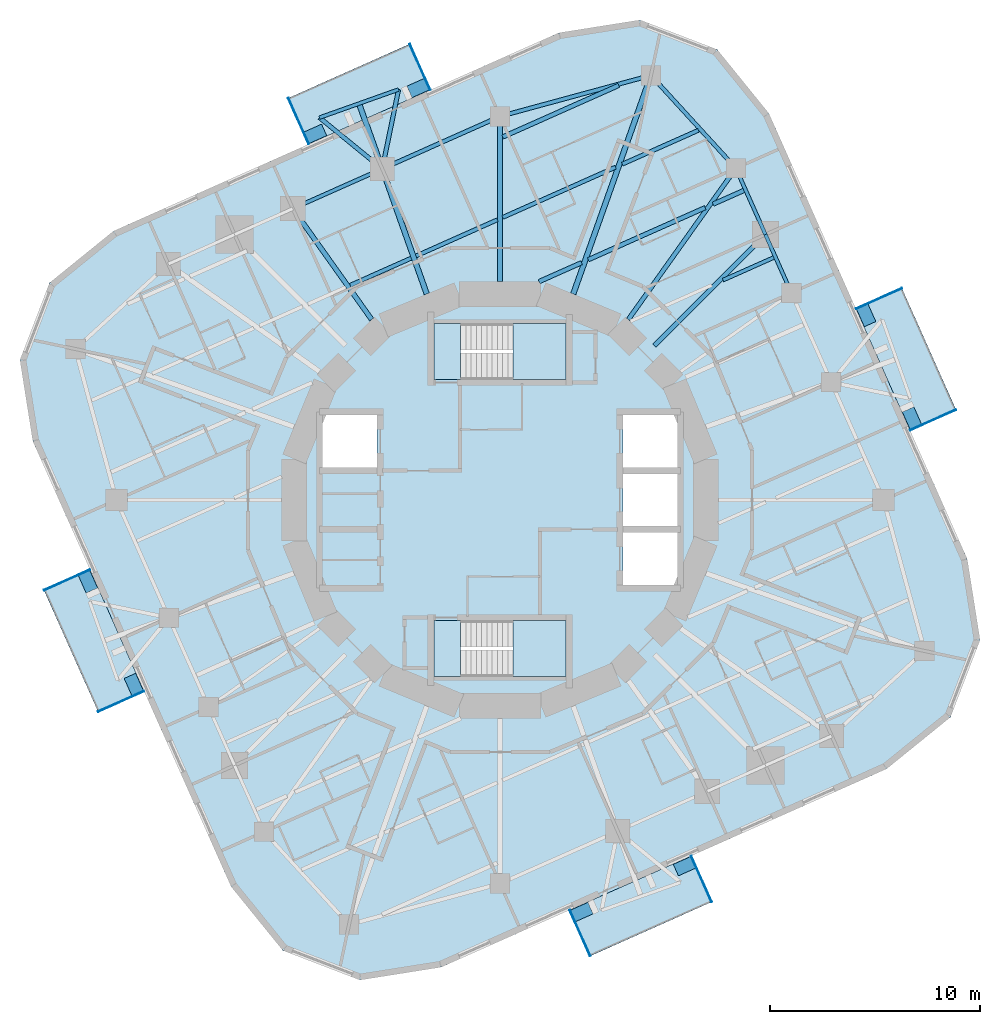
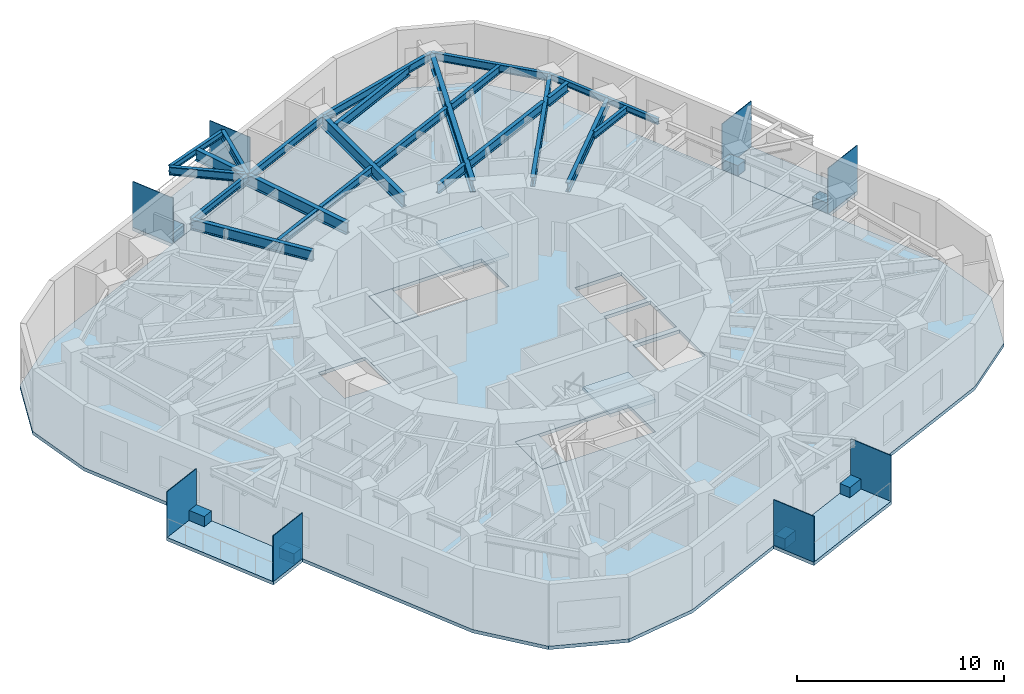
# One storey, part 3 of 12: 24 beams, 16 plates, 9 slabs, 2 elements without a shape of their own.
"""IFC4 building model written with IfcOpenShell, lengths in metres."""

from ifc_helpers import new_model, si_unit, direction, frame, origin, origin_2d, place, context, subcontext, project, spatial, polyline, rectangle, i_section, outline, extrude, material, layer, layer_set, material_profile, profile_set, type_object, element, aggregate, save


model = new_model("IFC4")

# Units and contexts
model_context = context("Model", 3, precision=1e-05, world=origin(), true_north=direction((0.0, 1.0)))
body_context = subcontext(model_context, "Body", "Model", "MODEL_VIEW")
ifc_project = project(units=[si_unit("LENGTHUNIT", "METRE"), si_unit("AREAUNIT", "SQUARE_METRE"), si_unit("VOLUMEUNIT", "CUBIC_METRE"), si_unit("PLANEANGLEUNIT", "RADIAN"), si_unit("MASSUNIT", "GRAM", prefix="KILO")], contexts=[model_context])

# Site, building, storey
site_placement = place(None, origin())
site = spatial("IfcSite", under=ifc_project, at=site_placement, CompositionType="ELEMENT")
building_placement = place(site_placement, origin())
building = spatial("IfcBuilding", under=site, at=building_placement, Name="Nakasero Lantern House", CompositionType="ELEMENT")
storey_placement = place(building_placement, frame((0.0, 0.0, 186.300048828125)))
storey = spatial("IfcBuildingStorey", under=building, at=storey_placement, Name="L45", CompositionType="ELEMENT", Elevation=186.300048828125)

# Beams
ifc_material_1 = material(Name="Steel S355", Category="steel")
ifc_material_profile_1 = material_profile(ifc_material_1, i_section(OverallWidth=0.199462890625, OverallDepth=0.491943359375, WebThickness=0.01806640625, FlangeThickness=0.031982421875, FilletRadius=0.01025390625, at=origin_2d()), Name="UB 457x191x161")
ifc_profile_set_1 = profile_set([ifc_material_profile_1], Name="Steel S355")
beam_type_1 = type_object("IfcBeamType", Name="Balcony splay beam UB 457x191x161", PredefinedType="BEAM", material=ifc_profile_set_1)
beam_1_placement = place(storey_placement, frame((-5.611328125, 15.781982421875, 3.404052734375), z_axis=(-0.774833215206, 0.632165712937, 0.0), x_axis=(-0.632165712937, -0.774833215206, 0.0)))
element("IfcBeam", 1, at=beam_1_placement, inside=storey, type_object=beam_type_1, Name="Balcony splay beam L46 B5-C10A", PredefinedType="BEAM", context=body_context, shape_type="SweptSolid", body=[
    extrude(i_section(OverallWidth=0.199462890625, OverallDepth=0.491943359375, WebThickness=0.01806640625, FlangeThickness=0.031982421875, FilletRadius=0.01025390625, at=origin_2d()), origin(), (0.0, 0.0, 1.0), 3.85888671875),
])
beam_2_placement = place(storey_placement, frame((-5.611328125, 15.781982421875, 3.404052734375), z_axis=(0.201831438605, 0.979420272605, 0.0), x_axis=(-0.979420272605, 0.201831438605, 0.0)))
element("IfcBeam", 2, at=beam_2_placement, inside=storey, type_object=beam_type_1, Name="Balcony splay beam L46 B5-C10B", PredefinedType="BEAM", context=body_context, shape_type="SweptSolid", body=[
    extrude(i_section(OverallWidth=0.199462890625, OverallDepth=0.491943359375, WebThickness=0.01806640625, FlangeThickness=0.031982421875, FilletRadius=0.01025390625, at=origin_2d()), origin(), (0.0, 0.0, 1.0), 3.858642578125),
])
ifc_material_2 = material(Name="Steel S355", Category="steel")
ifc_material_profile_2 = material_profile(ifc_material_2, i_section(OverallWidth=0.17138671875, OverallDepth=0.35498046875, WebThickness=0.00732421875, FlangeThickness=0.011474609375, FilletRadius=0.01025390625, at=origin_2d()), Name="UB 356x171x51")
ifc_profile_set_2 = profile_set([ifc_material_profile_2], Name="Steel S355")
beam_type_2 = type_object("IfcBeamType", Name="Balcony tie beam UB 356x171x51", PredefinedType="BEAM", material=ifc_profile_set_2)
beam_3_placement = place(storey_placement, frame((-8.601318359375, 18.221435546875, 3.472412109375), z_axis=(0.94222839004, 0.334971134582, 0.0), x_axis=(-0.334971134582, 0.94222839004, 0.0)))
element("IfcBeam", 3, at=beam_3_placement, inside=storey, type_object=beam_type_2, Name="Balcony tie beam L46 B5-C10", PredefinedType="BEAM", context=body_context, shape_type="SweptSolid", body=[
    extrude(i_section(OverallWidth=0.17138671875, OverallDepth=0.35498046875, WebThickness=0.00732421875, FlangeThickness=0.011474609375, FilletRadius=0.01025390625, at=origin_2d()), origin(), (0.0, 0.0, 1.0), 4.0),
])
ifc_material_3 = material(Name="Steel S355", Category="steel")
ifc_material_profile_3 = material_profile(ifc_material_3, i_section(OverallWidth=0.177978515625, OverallDepth=0.406494140625, WebThickness=0.0078125, FlangeThickness=0.0126953125, FilletRadius=0.01025390625, at=origin_2d()), Name="UB 406x178x60")
ifc_profile_set_3 = profile_set([ifc_material_profile_3], Name="Steel S355")
beam_type_3 = type_object("IfcBeamType", Name="Infill beam UB 406x178x60", PredefinedType="JOIST", material=ifc_profile_set_3)
beam_4_placement = place(storey_placement, frame((10.626708984375, 10.47802734375, 3.44677734375), z_axis=(0.913529602849, 0.406772251658, 0.0), x_axis=(-0.406772251658, 0.913529602849, 0.0)))
element("IfcBeam", 4, at=beam_4_placement, inside=storey, type_object=beam_type_3, Name="Infill beam L46 09.4", PredefinedType="JOIST", context=body_context, shape_type="SweptSolid", body=[
    extrude(i_section(OverallWidth=0.177978515625, OverallDepth=0.406494140625, WebThickness=0.0078125, FlangeThickness=0.0126953125, FilletRadius=0.01025390625, at=origin_2d()), origin(), (0.0, 0.0, 1.0), 2.64453125),
])
ifc_material_4 = material(Name="Steel S355", Category="steel")
ifc_material_profile_4 = material_profile(ifc_material_4, i_section(OverallWidth=0.18994140625, OverallDepth=0.453369140625, WebThickness=0.008544921875, FlangeThickness=0.0126953125, FilletRadius=0.01025390625, at=origin_2d()), Name="UB 457x191x67")
ifc_profile_set_4 = profile_set([ifc_material_profile_4], Name="Steel S355")
beam_type_4 = type_object("IfcBeamType", Name="Infill beam UB 457x191x67", PredefinedType="JOIST", material=ifc_profile_set_4)
beam_5_placement = place(storey_placement, frame((-7.1357421875, 10.232177734375, 3.42333984375), z_axis=(0.913535738899, 0.406758471029, 0.0), x_axis=(-0.406758471029, 0.913535738899, 0.0)))
element("IfcBeam", 5, at=beam_5_placement, inside=storey, type_object=beam_type_4, Name="Infill beam L46 11.5", PredefinedType="JOIST", context=body_context, shape_type="SweptSolid", body=[
    extrude(i_section(OverallWidth=0.18994140625, OverallDepth=0.453369140625, WebThickness=0.008544921875, FlangeThickness=0.0126953125, FilletRadius=0.01025390625, at=origin_2d()), origin(), (0.0, 0.0, 1.0), 3.17822265625),
])
beam_6_placement = place(storey_placement, frame((-4.0, 11.62841796875, 3.42333984375), z_axis=(0.913547765637, 0.406731459196, 0.0), x_axis=(-0.406731459196, 0.913547765637, 0.0)))
element("IfcBeam", 6, at=beam_6_placement, inside=storey, type_object=beam_type_4, Name="Infill beam L46 11.6", PredefinedType="JOIST", context=body_context, shape_type="SweptSolid", body=[
    extrude(i_section(OverallWidth=0.18994140625, OverallDepth=0.453369140625, WebThickness=0.008544921875, FlangeThickness=0.0126953125, FilletRadius=0.01025390625, at=origin_2d()), origin(), (0.0, 0.0, 1.0), 4.239501953125),
])
beam_7_placement = place(storey_placement, frame((0.126953125, 13.4658203125, 3.42333984375), z_axis=(0.913539401307, 0.406750245556, 0.0), x_axis=(-0.406750245556, 0.913539401307, 0.0)))
element("IfcBeam", 7, at=beam_7_placement, inside=storey, type_object=beam_type_4, Name="Infill beam L46 11.7", PredefinedType="JOIST", context=body_context, shape_type="SweptSolid", body=[
    extrude(i_section(OverallWidth=0.18994140625, OverallDepth=0.453369140625, WebThickness=0.008544921875, FlangeThickness=0.0126953125, FilletRadius=0.01025390625, at=origin_2d()), origin(), (0.0, 0.0, 1.0), 5.886474609375),
])
beam_8_placement = place(storey_placement, frame((5.824462890625, 16.00244140625, 3.42333984375), z_axis=(0.91354552237, 0.406736497695, 0.0), x_axis=(-0.406736497695, 0.91354552237, 0.0)))
element("IfcBeam", 8, at=beam_8_placement, inside=storey, type_object=beam_type_4, Name="Infill beam L46 11.8", PredefinedType="JOIST", context=body_context, shape_type="SweptSolid", body=[
    extrude(i_section(OverallWidth=0.18994140625, OverallDepth=0.453369140625, WebThickness=0.008544921875, FlangeThickness=0.0126953125, FilletRadius=0.01025390625, at=origin_2d()), origin(), (0.0, 0.0, 1.0), 3.9765625),
])
ifc_material_5 = material(Name="Steel S355", Category="steel")
ifc_material_profile_5 = material_profile(ifc_material_5, i_section(OverallWidth=0.2099609375, OverallDepth=0.53662109375, WebThickness=0.0107421875, FlangeThickness=0.017333984375, FilletRadius=0.0126953125, at=origin_2d()), Name="UB 533x210x101")
ifc_profile_set_5 = profile_set([ifc_material_profile_5], Name="Steel S355")
beam_type_5 = type_object("IfcBeamType", Name="Infill beam UB 533x210x101", PredefinedType="JOIST", material=ifc_profile_set_5)
beam_9_placement = place(storey_placement, frame((0.126953125, 17.297119140625, 3.381591796875), z_axis=(0.913548718281, 0.406729319483, 0.0), x_axis=(-0.406729319483, 0.913548718281, 0.0)))
element("IfcBeam", 9, at=beam_9_placement, inside=storey, type_object=beam_type_5, Name="Infill beam L46 12.3", PredefinedType="JOIST", context=body_context, shape_type="SweptSolid", body=[
    extrude(i_section(OverallWidth=0.2099609375, OverallDepth=0.53662109375, WebThickness=0.0107421875, FlangeThickness=0.017333984375, FilletRadius=0.0126953125, at=origin_2d()), origin(), (0.0, 0.0, 1.0), 6.056640625),
])
ifc_material_6 = material(Name="Steel S355", Category="steel")
ifc_material_profile_6 = material_profile(ifc_material_6, i_section(OverallWidth=0.208740234375, OverallDepth=0.5283203125, WebThickness=0.009521484375, FlangeThickness=0.01318359375, FilletRadius=0.0126953125, at=origin_2d()), Name="UB 533x210x82")
ifc_profile_set_6 = profile_set([ifc_material_profile_6], Name="Steel S355")
beam_type_6 = type_object("IfcBeamType", Name="Infill beam UB 533x210x82", PredefinedType="JOIST", material=ifc_profile_set_6)
beam_10_placement = place(storey_placement, frame((1.86376953125, 10.407958984375, 3.3857421875), z_axis=(0.913538457968, 0.406752364238, 0.0), x_axis=(-0.406752364238, 0.913538457968, 0.0)))
element("IfcBeam", 10, at=beam_10_placement, inside=storey, type_object=beam_type_6, Name="Infill beam L46 10.3", PredefinedType="JOIST", context=body_context, shape_type="SweptSolid", body=[
    extrude(i_section(OverallWidth=0.208740234375, OverallDepth=0.5283203125, WebThickness=0.009521484375, FlangeThickness=0.01318359375, FilletRadius=0.0126953125, at=origin_2d()), origin(), (0.0, 0.0, 1.0), 2.213623046875),
])
beam_11_placement = place(storey_placement, frame((4.2060546875, 11.45068359375, 3.3857421875), z_axis=(0.913537341067, 0.406754872713, 0.0), x_axis=(-0.406754872713, 0.913537341067, 0.0)))
element("IfcBeam", 11, at=beam_11_placement, inside=storey, type_object=beam_type_6, Name="Infill beam L46 10.4", PredefinedType="JOIST", context=body_context, shape_type="SweptSolid", body=[
    extrude(i_section(OverallWidth=0.208740234375, OverallDepth=0.5283203125, WebThickness=0.009521484375, FlangeThickness=0.01318359375, FilletRadius=0.0126953125, at=origin_2d()), origin(), (0.0, 0.0, 1.0), 6.099365234375),
])
beam_12_placement = place(storey_placement, frame((10.155029296875, 14.099365234375, 3.3857421875), z_axis=(0.913522313414, 0.406788621884, 0.0), x_axis=(-0.406788621884, 0.913522313414, 0.0)))
element("IfcBeam", 12, at=beam_12_placement, inside=storey, type_object=beam_type_6, Name="Infill beam L46 10.5", PredefinedType="JOIST", context=body_context, shape_type="SweptSolid", body=[
    extrude(i_section(OverallWidth=0.208740234375, OverallDepth=0.5283203125, WebThickness=0.009521484375, FlangeThickness=0.01318359375, FilletRadius=0.0126953125, at=origin_2d()), origin(), (0.0, 0.0, 1.0), 1.6025390625),
])
ifc_material_7 = material(Name="Steel S355", Category="steel")
ifc_material_profile_7 = material_profile(ifc_material_7, i_section(OverallWidth=0.2099609375, OverallDepth=0.53662109375, WebThickness=0.0107421875, FlangeThickness=0.017333984375, FilletRadius=0.0126953125, at=origin_2d()), Name="UB 533x210x101")
ifc_profile_set_7 = profile_set([ifc_material_profile_7], Name="Steel S355")
beam_type_7 = type_object("IfcBeamType", Name="Primary beam UB 533x210x101, span 6 to 9 m", PredefinedType="BEAM", material=ifc_profile_set_7)
beam_13_placement = place(storey_placement, frame((12.64892578125, 12.64892578125, 3.381591796875), z_axis=(-0.707106781187, -0.707106781187, 0.0), x_axis=(0.707106781187, -0.707106781187, 0.0)))
element("IfcBeam", 13, at=beam_13_placement, inside=storey, type_object=beam_type_7, Name="Primary beam L46 B5-C06", PredefinedType="BEAM", context=body_context, shape_type="SweptSolid", body=[
    extrude(i_section(OverallWidth=0.2099609375, OverallDepth=0.53662109375, WebThickness=0.0107421875, FlangeThickness=0.017333984375, FilletRadius=0.0126953125, at=origin_2d()), origin(), (0.0, 0.0, 1.0), 7.48046875),
])
beam_14_placement = place(storey_placement, frame((11.241943359375, 15.808837890625, 3.381591796875), z_axis=(-0.579536824926, -0.814946052543, 0.0), x_axis=(0.814946052543, -0.579536824926, 0.0)))
element("IfcBeam", 14, at=beam_14_placement, inside=storey, type_object=beam_type_7, Name="Primary beam L46 B5-C07", PredefinedType="BEAM", context=body_context, shape_type="SweptSolid", body=[
    extrude(i_section(OverallWidth=0.2099609375, OverallDepth=0.53662109375, WebThickness=0.0107421875, FlangeThickness=0.017333984375, FilletRadius=0.0126953125, at=origin_2d()), origin(), (0.0, 0.0, 1.0), 8.84326171875),
])
ifc_material_8 = material(Name="Steel S355", Category="steel")
ifc_material_profile_8 = material_profile(ifc_material_8, i_section(OverallWidth=0.22900390625, OverallDepth=0.6123046875, WebThickness=0.011962890625, FlangeThickness=0.01953125, FilletRadius=0.0126953125, at=origin_2d()), Name="UB 610x229x125")
ifc_profile_set_8 = profile_set([ifc_material_profile_8], Name="Steel S355")
beam_type_8 = type_object("IfcBeamType", Name="Primary beam UB 610x229x125, span 6 to 9 m", PredefinedType="BEAM", material=ifc_profile_set_8)
beam_15_placement = place(storey_placement, frame((-9.87353515625, 13.884521484375, 3.34375), z_axis=(0.57954101868, -0.8149430702, 0.0), x_axis=(0.8149430702, 0.57954101868, 0.0)))
element("IfcBeam", 15, at=beam_15_placement, inside=storey, type_object=beam_type_8, Name="Primary beam L46 B5-C11", PredefinedType="BEAM", context=body_context, shape_type="SweptSolid", body=[
    extrude(i_section(OverallWidth=0.22900390625, OverallDepth=0.6123046875, WebThickness=0.011962890625, FlangeThickness=0.01953125, FilletRadius=0.0126953125, at=origin_2d()), origin(), (0.0, 0.0, 1.0), 6.48193359375),
])
ifc_material_9 = material(Name="Steel S355", Category="steel")
ifc_material_profile_9 = material_profile(ifc_material_9, i_section(OverallWidth=0.253662109375, OverallDepth=0.68359375, WebThickness=0.012451171875, FlangeThickness=0.01904296875, FilletRadius=0.01513671875, at=origin_2d()), Name="UB 686x254x140")
ifc_profile_set_9 = profile_set([ifc_material_profile_9], Name="Steel S355")
beam_type_9 = type_object("IfcBeamType", Name="Primary beam UB 686x254x140, span 6 to 9 m", PredefinedType="BEAM", material=ifc_profile_set_9)
beam_16_placement = place(storey_placement, frame((0.0, 18.280517578125, 3.30810546875), z_axis=(0.0, -1.0, 0.0), x_axis=(1.0, 0.0, 0.0)))
element("IfcBeam", 16, at=beam_16_placement, inside=storey, type_object=beam_type_9, Name="Primary beam L46 B5-C09", PredefinedType="BEAM", context=body_context, shape_type="SweptSolid", body=[
    extrude(i_section(OverallWidth=0.253662109375, OverallDepth=0.68359375, WebThickness=0.012451171875, FlangeThickness=0.01904296875, FilletRadius=0.01513671875, at=origin_2d()), origin(), (0.0, 0.0, 1.0), 7.87255859375),
])
beam_17_placement = place(storey_placement, frame((-6.717041015625, 18.891357421875, 3.30810546875), z_axis=(0.335030177005, -0.942207397814, 0.0), x_axis=(0.942207397814, 0.335030177005, 0.0)))
element("IfcBeam", 17, at=beam_17_placement, inside=storey, type_object=beam_type_9, Name="Primary beam L46 B5-C10", PredefinedType="BEAM", context=body_context, shape_type="SweptSolid", body=[
    extrude(i_section(OverallWidth=0.253662109375, OverallDepth=0.68359375, WebThickness=0.012451171875, FlangeThickness=0.01904296875, FilletRadius=0.01513671875, at=origin_2d()), origin(), (0.0, 0.0, 1.0), 9.62841796875),
])
ifc_material_10 = material(Name="Steel S355", Category="steel")
ifc_material_profile_10 = material_profile(ifc_material_10, i_section(OverallWidth=0.253662109375, OverallDepth=0.68359375, WebThickness=0.012451171875, FlangeThickness=0.01904296875, FilletRadius=0.01513671875, at=origin_2d()), Name="UB 686x254x140")
ifc_profile_set_10 = profile_set([ifc_material_profile_10], Name="Steel S355")
beam_type_10 = type_object("IfcBeamType", Name="Primary beam UB 686x254x140, span 9 to 12 m", PredefinedType="BEAM", material=ifc_profile_set_10)
beam_18_placement = place(storey_placement, frame((7.19482421875, 20.2353515625, 3.30810546875), z_axis=(-0.335020995468, -0.942210662535, 0.0), x_axis=(0.942210662535, -0.335020995468, 0.0)))
element("IfcBeam", 18, at=beam_18_placement, inside=storey, type_object=beam_type_10, Name="Primary beam L46 B5-C08", PredefinedType="BEAM", context=body_context, shape_type="SweptSolid", body=[
    extrude(i_section(OverallWidth=0.253662109375, OverallDepth=0.68359375, WebThickness=0.012451171875, FlangeThickness=0.01904296875, FilletRadius=0.01513671875, at=origin_2d()), origin(), (0.0, 0.0, 1.0), 11.054931640625),
])
ifc_material_11 = material(Name="Steel S355", Category="steel")
ifc_material_profile_11 = material_profile(ifc_material_11, i_section(OverallWidth=0.17138671875, OverallDepth=0.35498046875, WebThickness=0.00732421875, FlangeThickness=0.011474609375, FilletRadius=0.01025390625, at=origin_2d()), Name="UB 356x171x51")
ifc_profile_set_11 = profile_set([ifc_material_profile_11], Name="Steel S355")
beam_type_11 = type_object("IfcBeamType", Name="Ring beam UB 356x171x51", PredefinedType="BEAM", material=ifc_profile_set_11)
beam_19_placement = place(storey_placement, frame((13.884521484375, 9.87353515625, 3.472412109375), z_axis=(-0.40671251915, 0.913556197925, 0.0), x_axis=(-0.913556197925, -0.40671251915, 0.0)))
element("IfcBeam", 19, at=beam_19_placement, inside=storey, type_object=beam_type_11, Name="Ring beam L46 B5-C05", PredefinedType="BEAM", context=body_context, shape_type="SweptSolid", body=[
    extrude(i_section(OverallWidth=0.17138671875, OverallDepth=0.35498046875, WebThickness=0.00732421875, FlangeThickness=0.011474609375, FilletRadius=0.01025390625, at=origin_2d()), origin(), (0.0, 0.0, 1.0), 3.0380859375),
])
beam_20_placement = place(storey_placement, frame((12.64892578125, 12.64892578125, 3.472412109375), z_axis=(-0.406760506795, 0.913534832457, 0.0), x_axis=(-0.913534832457, -0.406760506795, 0.0)))
element("IfcBeam", 20, at=beam_20_placement, inside=storey, type_object=beam_type_11, Name="Ring beam L46 B5-C06", PredefinedType="BEAM", context=body_context, shape_type="SweptSolid", body=[
    extrude(i_section(OverallWidth=0.17138671875, OverallDepth=0.35498046875, WebThickness=0.00732421875, FlangeThickness=0.011474609375, FilletRadius=0.01025390625, at=origin_2d()), origin(), (0.0, 0.0, 1.0), 3.458984375),
])
ifc_material_12 = material(Name="Steel S355", Category="steel")
ifc_material_profile_12 = material_profile(ifc_material_12, i_section(OverallWidth=0.177978515625, OverallDepth=0.406494140625, WebThickness=0.0078125, FlangeThickness=0.0126953125, FilletRadius=0.01025390625, at=origin_2d()), Name="UB 406x178x60")
ifc_profile_set_12 = profile_set([ifc_material_profile_12], Name="Steel S355")
beam_type_12 = type_object("IfcBeamType", Name="Ring beam UB 406x178x60", PredefinedType="BEAM", material=ifc_profile_set_12)
beam_21_placement = place(storey_placement, frame((-5.611328125, 15.781982421875, 3.44677734375), z_axis=(-0.913561058639, -0.406701600856, 0.0), x_axis=(0.406701600856, -0.913561058639, 0.0)))
element("IfcBeam", 21, at=beam_21_placement, inside=storey, type_object=beam_type_12, Name="Ring beam L46 B5-C10", PredefinedType="BEAM", context=body_context, shape_type="SweptSolid", body=[
    extrude(i_section(OverallWidth=0.177978515625, OverallDepth=0.406494140625, WebThickness=0.0078125, FlangeThickness=0.0126953125, FilletRadius=0.01025390625, at=origin_2d()), origin(), (0.0, 0.0, 1.0), 4.66552734375),
])
ifc_material_13 = material(Name="Steel S355", Category="steel")
ifc_material_profile_13 = material_profile(ifc_material_13, i_section(OverallWidth=0.18994140625, OverallDepth=0.453369140625, WebThickness=0.008544921875, FlangeThickness=0.0126953125, FilletRadius=0.01025390625, at=origin_2d()), Name="UB 457x191x67")
ifc_profile_set_13 = profile_set([ifc_material_profile_13], Name="Steel S355")
beam_type_13 = type_object("IfcBeamType", Name="Ring beam UB 457x191x67", PredefinedType="BEAM", material=ifc_profile_set_13)
beam_22_placement = place(storey_placement, frame((11.241943359375, 15.808837890625, 3.42333984375), z_axis=(-0.674771099966, 0.73802707447, 0.0), x_axis=(-0.73802707447, -0.674771099966, 0.0)))
element("IfcBeam", 22, at=beam_22_placement, inside=storey, type_object=beam_type_13, Name="Ring beam L46 B5-C07", PredefinedType="BEAM", context=body_context, shape_type="SweptSolid", body=[
    extrude(i_section(OverallWidth=0.18994140625, OverallDepth=0.453369140625, WebThickness=0.008544921875, FlangeThickness=0.0126953125, FilletRadius=0.01025390625, at=origin_2d()), origin(), (0.0, 0.0, 1.0), 5.997802734375),
])
beam_23_placement = place(storey_placement, frame((7.19482421875, 20.2353515625, 3.42333984375), z_axis=(-0.965015017941, -0.26219461312, 0.0), x_axis=(0.26219461312, -0.965015017941, 0.0)))
element("IfcBeam", 23, at=beam_23_placement, inside=storey, type_object=beam_type_13, Name="Ring beam L46 B5-C08", PredefinedType="BEAM", context=body_context, shape_type="SweptSolid", body=[
    extrude(i_section(OverallWidth=0.18994140625, OverallDepth=0.453369140625, WebThickness=0.008544921875, FlangeThickness=0.0126953125, FilletRadius=0.01025390625, at=origin_2d()), origin(), (0.0, 0.0, 1.0), 7.45556640625),
])
ifc_material_14 = material(Name="Steel S355", Category="steel")
ifc_material_profile_14 = material_profile(ifc_material_14, i_section(OverallWidth=0.19140625, OverallDepth=0.4599609375, WebThickness=0.010009765625, FlangeThickness=0.01611328125, FilletRadius=0.01025390625, at=origin_2d()), Name="UB 457x191x82")
ifc_profile_set_14 = profile_set([ifc_material_profile_14], Name="Steel S355")
beam_type_14 = type_object("IfcBeamType", Name="Ring beam UB 457x191x82", PredefinedType="BEAM", material=ifc_profile_set_14)
beam_24_placement = place(storey_placement, frame((0.0, 18.280517578125, 3.419921875), z_axis=(-0.913532698569, -0.406765299215, 0.0), x_axis=(0.406765299215, -0.913532698569, 0.0)))
element("IfcBeam", 24, at=beam_24_placement, inside=storey, type_object=beam_type_14, Name="Ring beam L46 B5-C09", PredefinedType="BEAM", context=body_context, shape_type="SweptSolid", body=[
    extrude(i_section(OverallWidth=0.19140625, OverallDepth=0.4599609375, WebThickness=0.010009765625, FlangeThickness=0.01611328125, FilletRadius=0.01025390625, at=origin_2d()), origin(), (0.0, 0.0, 1.0), 6.142333984375),
])

# Plates
ifc_material_15 = material(Name="Aluminium 6063-T6", Category="aluminium")
ifc_layer_1 = layer(ifc_material_15, 0.60009765625)
ifc_layer_set_1 = layer_set([ifc_layer_1], Name="Balcony planter 600x900")
plate_type_1 = type_object("IfcPlateType", Name="Balcony planter 600x900", PredefinedType="USERDEFINED", material=ifc_layer_set_1)
for number, where, z_axis, x_axis, name in (
    (25, (19.629638671875, 3.90283203125, 0.0), (0.0, 0.0, 1.0), (0.913545457643, 0.406736643076, 0.0), "Balcony PLANTER L45 BAL0A"),
    (26, (17.452880859375, 8.791748046875, 0.0), (0.0, 0.0, 1.0), (0.913545457643, 0.406736643076, 0.0), "Balcony PLANTER L45 BAL0B"),
    (27, (-3.90283203125, 19.629638671875, 0.0), (0.0, 0.0, 1.0), (-0.406736643076, 0.913545457643, 0.0), "Balcony PLANTER L45 BAL1A"),
    (28, (-8.791748046875, 17.452880859375, 0.0), (0.0, 0.0, 1.0), (-0.406736643076, 0.913545457643, 0.0), "Balcony PLANTER L45 BAL1B"),
    (29, (-19.629638671875, -3.90283203125, 0.0), (0.0, 0.0, 1.0), (-0.913545457643, -0.406736643076, 0.0), "Balcony PLANTER L45 BAL2A"),
    (30, (-17.452880859375, -8.791748046875, 0.0), (0.0, 0.0, 1.0), (-0.913545457643, -0.406736643076, 0.0), "Balcony PLANTER L45 BAL2B"),
    (31, (3.90283203125, -19.629638671875, 0.0), (0.0, 0.0, 1.0), (0.406736643076, -0.913545457643, 0.0), "Balcony PLANTER L45 BAL3A"),
    (32, (8.791748046875, -17.452880859375, 0.0), (0.0, 0.0, 1.0), (0.406736643076, -0.913545457643, 0.0), "Balcony PLANTER L45 BAL3B"),
):
    element("IfcPlate", number, at=place(storey_placement, frame(where, z_axis=z_axis, x_axis=x_axis)), inside=storey, type_object=plate_type_1, Name=name, ObjectType="PLANTER", PredefinedType="USERDEFINED", context=body_context, shape_type="SweptSolid", body=[
        extrude(rectangle(XDim=0.60009765625, YDim=0.89990234375, at=origin_2d()), origin(), (0.0, 0.0, 1.0), 0.60009765625),
    ])
ifc_material_16 = material(Name="Aluminium 6063-T6", Category="aluminium")
ifc_layer_2 = layer(ifc_material_16, 0.0400390625)
ifc_layer_set_2 = layer_set([ifc_layer_2], Name="Balcony screen 2400x2700")
plate_type_2 = type_object("IfcPlateType", Name="Balcony screen 2400x2700", PredefinedType="SHEET", material=ifc_layer_set_2)
for number, where, z_axis, x_axis, name in (
    (33, (20.6328125, 3.813232421875, 0.0), (0.0, 0.0, 1.0), (0.913545457643, 0.406736643076, 0.0), "Balcony SCREEN L45 BAL0A"),
    (34, (18.0576171875, 9.59716796875, 0.0), (0.0, 0.0, 1.0), (0.913545457643, 0.406736643076, 0.0), "Balcony SCREEN L45 BAL0B"),
    (35, (-3.813232421875, 20.6328125, 0.0), (0.0, 0.0, 1.0), (-0.406736643076, 0.913545457643, 0.0), "Balcony SCREEN L45 BAL1A"),
    (36, (-9.59716796875, 18.0576171875, 0.0), (0.0, 0.0, 1.0), (-0.406736643076, 0.913545457643, 0.0), "Balcony SCREEN L45 BAL1B"),
    (37, (-20.6328125, -3.813232421875, 0.0), (0.0, 0.0, 1.0), (-0.913545457643, -0.406736643076, 0.0), "Balcony SCREEN L45 BAL2A"),
    (38, (-18.0576171875, -9.59716796875, 0.0), (0.0, 0.0, 1.0), (-0.913545457643, -0.406736643076, 0.0), "Balcony SCREEN L45 BAL2B"),
    (39, (3.813232421875, -20.6328125, 0.0), (0.0, 0.0, 1.0), (0.406736643076, -0.913545457643, 0.0), "Balcony SCREEN L45 BAL3A"),
    (40, (9.59716796875, -18.0576171875, 0.0), (0.0, 0.0, 1.0), (0.406736643076, -0.913545457643, 0.0), "Balcony SCREEN L45 BAL3B"),
):
    element("IfcPlate", number, at=place(storey_placement, frame(where, z_axis=z_axis, x_axis=x_axis)), inside=storey, type_object=plate_type_2, Name=name, PredefinedType="SHEET", context=body_context, shape_type="SweptSolid", body=[
        extrude(rectangle(XDim=2.39990234375, YDim=0.0400390625, at=origin_2d()), origin(), (0.0, 0.0, 1.0), 2.699951171875),
    ])

# Slabs
ifc_material_17 = material(Name="Concrete C35/45", Category="concrete")
ifc_layer_3 = layer(ifc_material_17, 0.199951171875)
ifc_layer_set_3 = layer_set([ifc_layer_3], Name="Balcony slab 200")
slab_type_1 = type_object("IfcSlabType", Name="Balcony slab 200", PredefinedType="USERDEFINED", material=ifc_layer_set_3)
slab_1_placement = place(storey_placement, frame((0.0, 0.0, -0.199951171875)))
element("IfcSlab", 41, at=slab_1_placement, inside=storey, type_object=slab_type_1, Name="Balcony L45 BAL0", ObjectType="BALCONY", PredefinedType="USERDEFINED", context=body_context, shape_type="SweptSolid", body=[
    extrude(outline(polyline([(19.544677734375, 3.306884765625), (21.7373046875, 4.282958984375), (19.145751953125, 10.103515625), (16.953125, 9.12744140625), (19.544677734375, 3.306884765625)])), origin(), (0.0, 0.0, 1.0), 0.199951171875),
])
slab_2_placement = place(storey_placement, frame((0.0, 0.0, -0.199951171875)))
element("IfcSlab", 42, at=slab_2_placement, inside=storey, type_object=slab_type_1, Name="Balcony L45 BAL1", ObjectType="BALCONY", PredefinedType="USERDEFINED", context=body_context, shape_type="SweptSolid", body=[
    extrude(outline(polyline([(-3.306884765625, 19.544677734375), (-4.282958984375, 21.7373046875), (-10.103515625, 19.145751953125), (-9.12744140625, 16.953125), (-3.306884765625, 19.544677734375)])), origin(), (0.0, 0.0, 1.0), 0.199951171875),
])
slab_3_placement = place(storey_placement, frame((0.0, 0.0, -0.199951171875)))
element("IfcSlab", 43, at=slab_3_placement, inside=storey, type_object=slab_type_1, Name="Balcony L45 BAL2", ObjectType="BALCONY", PredefinedType="USERDEFINED", context=body_context, shape_type="SweptSolid", body=[
    extrude(outline(polyline([(-19.544677734375, -3.306884765625), (-21.7373046875, -4.282958984375), (-19.145751953125, -10.103515625), (-16.953125, -9.12744140625), (-19.544677734375, -3.306884765625)])), origin(), (0.0, 0.0, 1.0), 0.199951171875),
])
slab_4_placement = place(storey_placement, frame((0.0, 0.0, -0.199951171875)))
element("IfcSlab", 44, at=slab_4_placement, inside=storey, type_object=slab_type_1, Name="Balcony L45 BAL3", ObjectType="BALCONY", PredefinedType="USERDEFINED", context=body_context, shape_type="SweptSolid", body=[
    extrude(outline(polyline([(3.306884765625, -19.544677734375), (4.282958984375, -21.7373046875), (10.103515625, -19.145751953125), (9.12744140625, -16.953125), (3.306884765625, -19.544677734375)])), origin(), (0.0, 0.0, 1.0), 0.199951171875),
])
ifc_material_18 = material(Name="Concrete C35/45", Category="concrete")
ifc_layer_4 = layer(ifc_material_18, 0.199951171875)
ifc_layer_set_4 = layer_set([ifc_layer_4], Name="Composite floor slab 200")
slab_type_2 = type_object("IfcSlabType", Name="Composite floor slab 200", PredefinedType="FLOOR", material=ifc_layer_set_4)
slab_5_placement = place(storey_placement, frame((0.0, 0.0, -0.199951171875)))
element("IfcSlab", 45, at=slab_5_placement, inside=storey, type_object=slab_type_2, Name="Floor slab L45", PredefinedType="FLOOR", context=body_context, shape_type="SweptSolid", body=[
    extrude(outline(polyline([(12.822021484375, 18.406494140625), (10.34619140625, 21.4638671875), (6.67333984375, 22.87353515625), (2.787841796875, 22.25830078125), (-18.406494140625, 12.822021484375), (-21.4638671875, 10.34619140625), (-22.87353515625, 6.67333984375), (-22.25830078125, 2.787841796875), (-12.822021484375, -18.406494140625), (-10.34619140625, -21.4638671875), (-6.67333984375, -22.87353515625), (-2.787841796875, -22.25830078125), (18.406494140625, -12.822021484375), (21.4638671875, -10.34619140625), (22.87353515625, -6.67333984375), (22.25830078125, -2.787841796875), (12.822021484375, 18.406494140625)]), holes=[polyline([(-8.449951171875, 1.550048828125), (-5.85009765625, 1.550048828125), (-5.85009765625, 4.050048828125), (-8.449951171875, 4.050048828125), (-8.449951171875, 1.550048828125)]), polyline([(5.85009765625, -4.050048828125), (8.449951171875, -4.050048828125), (8.449951171875, -1.550048828125), (5.85009765625, -1.550048828125), (5.85009765625, -4.050048828125)]), polyline([(5.85009765625, -1.25), (8.449951171875, -1.25), (8.449951171875, 1.25), (5.85009765625, 1.25), (5.85009765625, -1.25)]), polyline([(5.85009765625, 1.550048828125), (8.449951171875, 1.550048828125), (8.449951171875, 4.050048828125), (5.85009765625, 4.050048828125), (5.85009765625, 1.550048828125)]), polyline([(-3.14990234375, 5.75), (3.14990234375, 5.75), (3.14990234375, 8.39990234375), (-3.14990234375, 8.39990234375), (-3.14990234375, 5.75)]), polyline([(-3.14990234375, -8.39990234375), (3.14990234375, -8.39990234375), (3.14990234375, -5.75), (-3.14990234375, -5.75), (-3.14990234375, -8.39990234375)])]), origin(), (0.0, 0.0, 1.0), 0.199951171875),
])

# Stair, slabs
ifc_material_19 = material(Name="Concrete C40/50", Category="concrete")
stair_type_1 = type_object("IfcStairType", Name="Escape stair ST1 22 risers", PredefinedType="HALF_TURN_STAIR", material=ifc_material_19)
stair_1_placement = place(storey_placement, origin())
stair_1 = element("IfcStair", 46, at=stair_1_placement, inside=storey, type_object=stair_type_1, Name="Escape stair ST1 L45", PredefinedType="HALF_TURN_STAIR")
ifc_material_20 = material(Name="Concrete C40/50", Category="concrete")
ifc_layer_5 = layer(ifc_material_20, 0.199951171875)
ifc_layer_set_5 = layer_set([ifc_layer_5], Name="Stair landing 200")
slab_type_3 = type_object("IfcSlabType", Name="Stair landing 200", PredefinedType="LANDING", material=ifc_layer_set_5)
slab_6_placement = place(storey_placement, frame((0.0, 0.0, -0.199951171875)))
slab_6 = element("IfcSlab", 47, at=slab_6_placement, type_object=slab_type_3, Name="ST1 landing 1", PredefinedType="LANDING", context=body_context, shape_type="SweptSolid", body=[
    extrude(outline(polyline([(-3.14990234375, 5.75), (-1.875, 5.75), (-1.875, 8.39990234375), (-3.14990234375, 8.39990234375), (-3.14990234375, 5.75)])), origin(), (0.0, 0.0, 1.0), 0.199951171875),
])
slab_7_placement = place(storey_placement, frame((0.0, 0.0, 1.724853515625)))
slab_7 = element("IfcSlab", 48, at=slab_7_placement, type_object=slab_type_3, Name="ST1 landing 2", PredefinedType="LANDING", context=body_context, shape_type="SweptSolid", body=[
    extrude(outline(polyline([(0.625, 5.75), (3.14990234375, 5.75), (3.14990234375, 8.39990234375), (0.625, 8.39990234375), (0.625, 5.75)])), origin(), (0.0, 0.0, 1.0), 0.2001953125),
])
aggregate(stair_1, [slab_6, slab_7])

ifc_material_21 = material(Name="Concrete C40/50", Category="concrete")
stair_type_2 = type_object("IfcStairType", Name="Escape stair ST2 22 risers", PredefinedType="HALF_TURN_STAIR", material=ifc_material_21)
stair_2_placement = place(storey_placement, origin())
stair_2 = element("IfcStair", 49, at=stair_2_placement, inside=storey, type_object=stair_type_2, Name="Escape stair ST2 L45", PredefinedType="HALF_TURN_STAIR")
slab_8_placement = place(storey_placement, frame((0.0, 0.0, -0.199951171875)))
slab_8 = element("IfcSlab", 50, at=slab_8_placement, type_object=slab_type_3, Name="ST2 landing 1", PredefinedType="LANDING", context=body_context, shape_type="SweptSolid", body=[
    extrude(outline(polyline([(-3.14990234375, -8.39990234375), (-1.875, -8.39990234375), (-1.875, -5.75), (-3.14990234375, -5.75), (-3.14990234375, -8.39990234375)])), origin(), (0.0, 0.0, 1.0), 0.199951171875),
])
slab_9_placement = place(storey_placement, frame((0.0, 0.0, 1.724853515625)))
slab_9 = element("IfcSlab", 51, at=slab_9_placement, type_object=slab_type_3, Name="ST2 landing 2", PredefinedType="LANDING", context=body_context, shape_type="SweptSolid", body=[
    extrude(outline(polyline([(0.625, -8.39990234375), (3.14990234375, -8.39990234375), (3.14990234375, -5.75), (0.625, -5.75), (0.625, -8.39990234375)])), origin(), (0.0, 0.0, 1.0), 0.2001953125),
])
aggregate(stair_2, [slab_8, slab_9])

save(model, "model.ifc")
